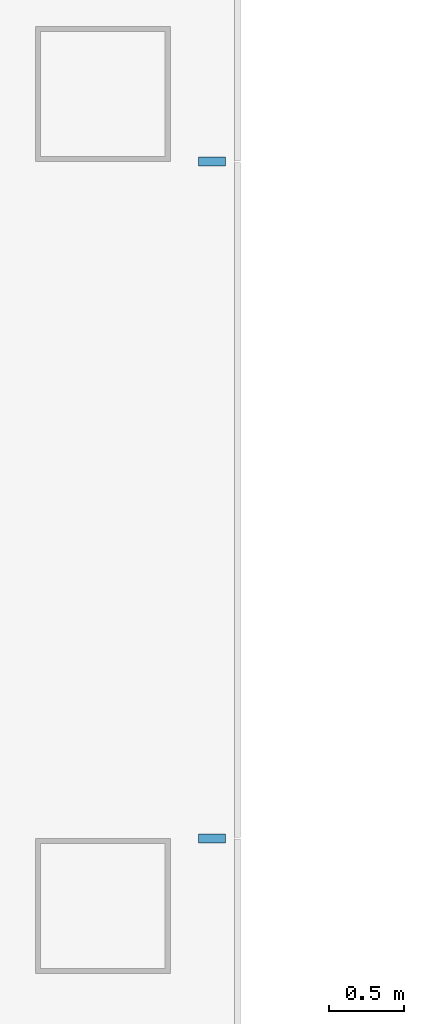
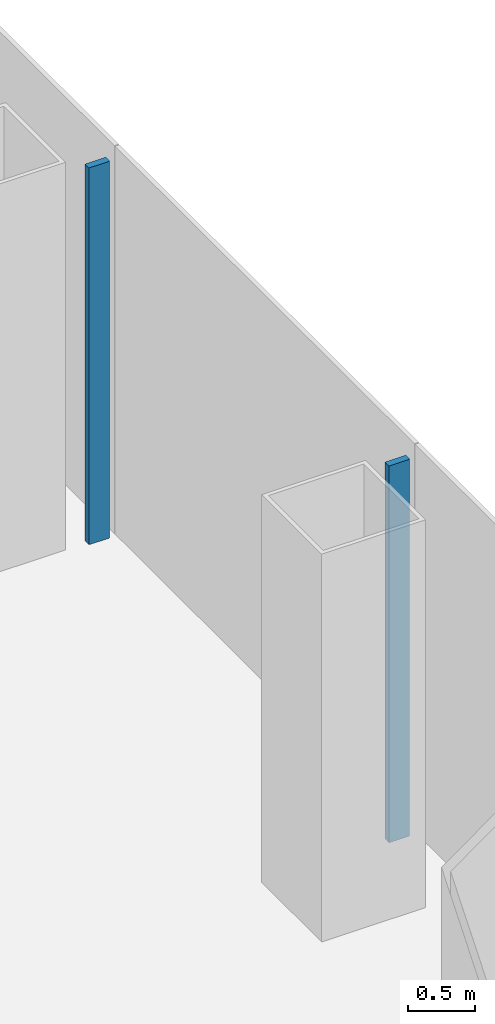
# One storey, part 4 of 20: 2 members, 1 element without a shape of its own.
"""IFC4 building model written with IfcOpenShell, lengths in metres."""

from ifc_helpers import new_model, si_unit, direction, frame, origin, origin_2d, place, context, subcontext, project, spatial, rectangle, extrude, material, layer, layer_set, material_profile, profile_set, type_object, element, aggregate, save


model = new_model("IFC4")

# Units and contexts
model_context = context("Model", 3, precision=1e-05, world=origin(), true_north=direction((0.0, 1.0)))
body_context = subcontext(model_context, "Body", "Model", "MODEL_VIEW")
ifc_project = project(units=[si_unit("LENGTHUNIT", "METRE"), si_unit("AREAUNIT", "SQUARE_METRE"), si_unit("VOLUMEUNIT", "CUBIC_METRE"), si_unit("PLANEANGLEUNIT", "RADIAN"), si_unit("MASSUNIT", "GRAM", prefix="KILO")], contexts=[model_context])

# Site, building, storey
site_placement = place(None, origin())
site = spatial("IfcSite", under=ifc_project, at=site_placement, CompositionType="ELEMENT")
building_placement = place(site_placement, origin())
building = spatial("IfcBuilding", under=site, at=building_placement, Name="Shamsa Quay Exchange Towers", CompositionType="ELEMENT")
storey_placement = place(building_placement, frame((0.0, 0.0, 101.39990234375)))
storey = spatial("IfcBuildingStorey", under=building, at=storey_placement, Name="L23", CompositionType="ELEMENT", Elevation=101.39990234375)

# Curtain wall, members
ifc_material = material(Name="Aluminium EN AW-6063 T6, black anodised", Category="aluminium")
ifc_layer = layer(ifc_material, 0.280029296875)
ifc_layer_set = layer_set([ifc_layer], Name="CW-1 UNITISED VISION GLASS")
curtain_wall_type = type_object("IfcCurtainWallType", Name="CW-1 UNITISED VISION GLASS", PredefinedType="NOTDEFINED", material=ifc_layer_set)
curtain_wall_placement = place(storey_placement, origin())
curtain_wall = element("IfcCurtainWall", 1, at=curtain_wall_placement, inside=storey, type_object=curtain_wall_type, Name="CW1 T1-END-U+ L23", PredefinedType="NOTDEFINED")
ifc_material_profile = material_profile(ifc_material, rectangle(XDim=0.179931640625, YDim=0.06005859375, at=origin_2d()), Name="MU60x180")
ifc_profile_set = profile_set([ifc_material_profile], Name="Aluminium EN AW-6063 T6, black anodised")
member_type = type_object("IfcMemberType", Name="CW1 MULLION 60x180", PredefinedType="MULLION", material=ifc_profile_set)
member_1_placement = place(storey_placement, frame((-4.64990234375, -2.25, 0.0), z_axis=(0.0, 0.0, 1.0), x_axis=(-1.0, 0.0, 0.0)))
member_1 = element("IfcMember", 2, at=member_1_placement, type_object=member_type, Name="CW1 mullion", PredefinedType="MULLION", context=body_context, shape_type="SweptSolid", body=[
    extrude(rectangle(XDim=0.179931640625, YDim=0.06005859375, at=origin_2d()), origin(), (0.0, 0.0, 1.0), 3.4501953125),
])
member_2_placement = place(storey_placement, frame((-4.64990234375, 2.25, 0.0), z_axis=(0.0, 0.0, 1.0), x_axis=(-1.0, 0.0, 0.0)))
member_2 = element("IfcMember", 3, at=member_2_placement, type_object=member_type, Name="CW1 mullion", PredefinedType="MULLION", context=body_context, shape_type="SweptSolid", body=[
    extrude(rectangle(XDim=0.179931640625, YDim=0.06005859375, at=origin_2d()), origin(), (0.0, 0.0, 1.0), 3.4501953125),
])
aggregate(curtain_wall, [member_1, member_2])

save(model, "model.ifc")
